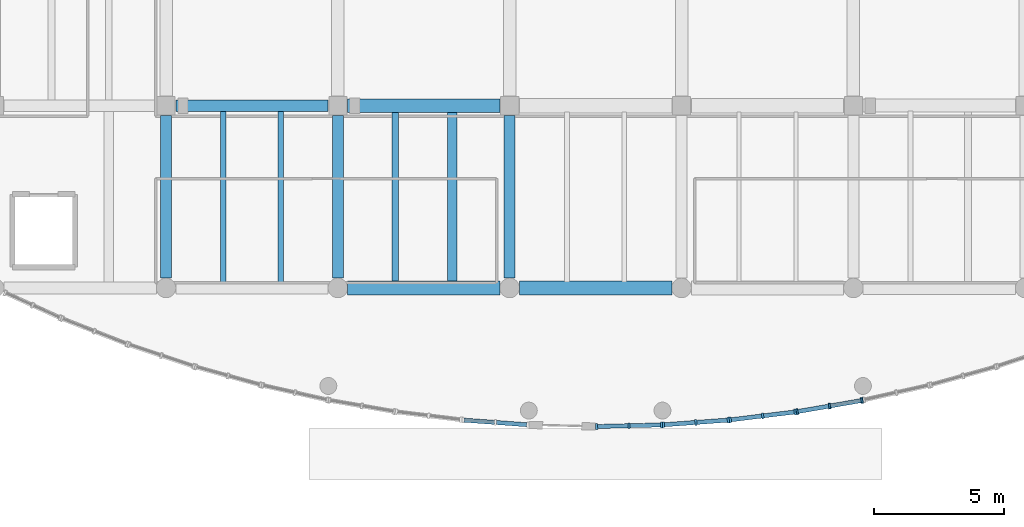
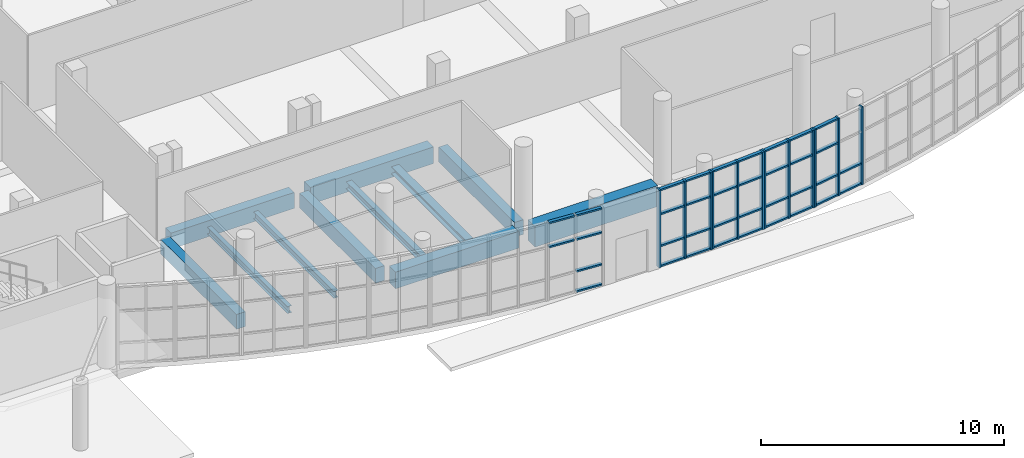
# One storey, part 11 of 69: 48 members, 11 beams, 5 elements without a shape of their own.
"""IFC4 building model written with IfcOpenShell, lengths in metres."""

from ifc_helpers import new_model, si_unit, direction, frame, origin, origin_2d, place, context, subcontext, project, spatial, rectangle, i_section, extrude, material, material_profile, profile_set, type_object, element, aggregate, save


model = new_model("IFC4")

# Units and contexts
model_context = context("Model", 3, precision=1e-05, world=origin(), true_north=direction((0.0, 1.0)))
body_context = subcontext(model_context, "Body", "Model", "MODEL_VIEW")
ifc_project = project(units=[si_unit("LENGTHUNIT", "METRE"), si_unit("AREAUNIT", "SQUARE_METRE"), si_unit("VOLUMEUNIT", "CUBIC_METRE"), si_unit("PLANEANGLEUNIT", "RADIAN"), si_unit("MASSUNIT", "GRAM", prefix="KILO")], contexts=[model_context])

# Site, building, storey
site_placement = place(None, origin())
site = spatial("IfcSite", under=ifc_project, at=site_placement, CompositionType="ELEMENT")
building_placement = place(site_placement, origin())
building = spatial("IfcBuilding", under=site, at=building_placement, Name="Ciguamira Faculty of Natural Sciences", CompositionType="ELEMENT")
storey_placement = place(building_placement, origin())
storey = spatial("IfcBuildingStorey", under=building, at=storey_placement, Name="L00", CompositionType="ELEMENT", Elevation=0.0)

# Curtain wall, members
ifc_material_1 = material(Name="Anodized aluminium curtain wall", Category="aluminium")
curtain_wall_type_1 = type_object("IfcCurtainWallType", Name="CurtainWall_CW-03", PredefinedType="USERDEFINED", material=ifc_material_1)
curtain_wall_1_placement = place(storey_placement, origin())
curtain_wall_1 = element("IfcCurtainWall", 1, at=curtain_wall_1_placement, inside=storey, type_object=curtain_wall_type_1, Name="L00 south gallery curved curtain wall 10", ObjectType="UNITISED CURTAIN WALL", PredefinedType="USERDEFINED")
ifc_material_2 = material(Name="Anodized aluminium mullion", Category="aluminium")
ifc_material_profile_1 = material_profile(ifc_material_2, rectangle(XDim=0.080078125, YDim=0.219970703125, at=origin_2d()), Name="ALU-MUL-80X220")
ifc_profile_set_1 = profile_set([ifc_material_profile_1], Name="Anodized aluminium mullion")
member_type_1 = type_object("IfcMemberType", Name="CWMullion_CWM-03", PredefinedType="MULLION", material=ifc_profile_set_1)
member_1_placement = place(storey_placement, frame((87.0400390625, 4.6796875, 0.0), z_axis=(0.0, 0.0, 1.0), x_axis=(0.999703662415, 0.024343117197, 0.0)))
member_1 = element("IfcMember", 2, at=member_1_placement, type_object=member_type_1, Name="CW-03 mullion 1", PredefinedType="MULLION", context=body_context, shape_type="SweptSolid", body=[
    extrude(rectangle(XDim=0.080078125, YDim=0.219970703125, at=origin_2d()), origin(), (0.0, 0.0, 1.0), 3.89990234375),
])
member_2_placement = place(storey_placement, frame((88.283447265625, 4.7099609375, 0.0), z_axis=(0.0, 0.0, 1.0), x_axis=(0.999703662415, 0.024343117197, 0.0)))
member_2 = element("IfcMember", 3, at=member_2_placement, type_object=member_type_1, Name="CW-03 mullion 2", PredefinedType="MULLION", context=body_context, shape_type="SweptSolid", body=[
    extrude(rectangle(XDim=0.080078125, YDim=0.219970703125, at=origin_2d()), origin(), (0.0, 0.0, 1.0), 3.89990234375),
])
member_3_placement = place(storey_placement, frame((89.526611328125, 4.740234375, 0.0), z_axis=(0.0, 0.0, 1.0), x_axis=(0.999703662415, 0.024343117197, 0.0)))
member_3 = element("IfcMember", 4, at=member_3_placement, type_object=member_type_1, Name="CW-03 mullion 3", PredefinedType="MULLION", context=body_context, shape_type="SweptSolid", body=[
    extrude(rectangle(XDim=0.080078125, YDim=0.219970703125, at=origin_2d()), origin(), (0.0, 0.0, 1.0), 3.89990234375),
])

curtain_wall_type_2 = type_object("IfcCurtainWallType", Name="CurtainWall_CW-04", PredefinedType="USERDEFINED", material=ifc_material_1)
curtain_wall_2_placement = place(storey_placement, origin())
curtain_wall_2 = element("IfcCurtainWall", 5, at=curtain_wall_2_placement, inside=storey, type_object=curtain_wall_type_2, Name="L00 south gallery curved curtain wall 11", ObjectType="UNITISED CURTAIN WALL", PredefinedType="USERDEFINED")
member_4_placement = place(storey_placement, frame((89.606689453125, 4.744140625, 0.0), z_axis=(0.0, 0.0, 1.0), x_axis=(0.99733655099, 0.072936986916, 0.0)))
member_4 = element("IfcMember", 6, at=member_4_placement, type_object=member_type_1, Name="CW-04 mullion 1", PredefinedType="MULLION", context=body_context, shape_type="SweptSolid", body=[
    extrude(rectangle(XDim=0.080078125, YDim=0.219970703125, at=origin_2d()), origin(), (0.0, 0.0, 1.0), 3.89990234375),
])
member_5_placement = place(storey_placement, frame((90.85009765625, 4.8349609375, 0.0), z_axis=(0.0, 0.0, 1.0), x_axis=(0.99733655099, 0.072936986916, 0.0)))
member_5 = element("IfcMember", 7, at=member_5_placement, type_object=member_type_1, Name="CW-04 mullion 2", PredefinedType="MULLION", context=body_context, shape_type="SweptSolid", body=[
    extrude(rectangle(XDim=0.080078125, YDim=0.219970703125, at=origin_2d()), origin(), (0.0, 0.0, 1.0), 3.89990234375),
])
member_6_placement = place(storey_placement, frame((92.093505859375, 4.926025390625, 0.0), z_axis=(0.0, 0.0, 1.0), x_axis=(0.99733655099, 0.072936986916, 0.0)))
member_6 = element("IfcMember", 8, at=member_6_placement, type_object=member_type_1, Name="CW-04 mullion 3", PredefinedType="MULLION", context=body_context, shape_type="SweptSolid", body=[
    extrude(rectangle(XDim=0.080078125, YDim=0.219970703125, at=origin_2d()), origin(), (0.0, 0.0, 1.0), 3.89990234375),
])

curtain_wall_type_3 = type_object("IfcCurtainWallType", Name="CurtainWall_CW-05", PredefinedType="USERDEFINED", material=ifc_material_1)
curtain_wall_3_placement = place(storey_placement, origin())
curtain_wall_3 = element("IfcCurtainWall", 9, at=curtain_wall_3_placement, inside=storey, type_object=curtain_wall_type_3, Name="L00 south gallery curved curtain wall 12", ObjectType="UNITISED CURTAIN WALL", PredefinedType="USERDEFINED")
member_7_placement = place(storey_placement, frame((92.173095703125, 4.933837890625, 0.0), z_axis=(0.0, 0.0, 1.0), x_axis=(0.992585912631, 0.12154507825, 0.0)))
member_7 = element("IfcMember", 10, at=member_7_placement, type_object=member_type_1, Name="CW-05 mullion 1", PredefinedType="MULLION", context=body_context, shape_type="SweptSolid", body=[
    extrude(rectangle(XDim=0.080078125, YDim=0.219970703125, at=origin_2d()), origin(), (0.0, 0.0, 1.0), 3.89990234375),
])
member_8_placement = place(storey_placement, frame((93.416748046875, 5.0859375, 0.0), z_axis=(0.0, 0.0, 1.0), x_axis=(0.992585912631, 0.12154507825, 0.0)))
member_8 = element("IfcMember", 11, at=member_8_placement, type_object=member_type_1, Name="CW-05 mullion 2", PredefinedType="MULLION", context=body_context, shape_type="SweptSolid", body=[
    extrude(rectangle(XDim=0.080078125, YDim=0.219970703125, at=origin_2d()), origin(), (0.0, 0.0, 1.0), 3.89990234375),
])
member_9_placement = place(storey_placement, frame((94.660400390625, 5.23828125, 0.0), z_axis=(0.0, 0.0, 1.0), x_axis=(0.992585912631, 0.12154507825, 0.0)))
member_9 = element("IfcMember", 12, at=member_9_placement, type_object=member_type_1, Name="CW-05 mullion 3", PredefinedType="MULLION", context=body_context, shape_type="SweptSolid", body=[
    extrude(rectangle(XDim=0.080078125, YDim=0.219970703125, at=origin_2d()), origin(), (0.0, 0.0, 1.0), 3.89990234375),
])

curtain_wall_type_4 = type_object("IfcCurtainWallType", Name="CurtainWall_CW-06", PredefinedType="USERDEFINED", material=ifc_material_1)
curtain_wall_4_placement = place(storey_placement, origin())
curtain_wall_4 = element("IfcCurtainWall", 13, at=curtain_wall_4_placement, inside=storey, type_object=curtain_wall_type_4, Name="L00 south gallery curved curtain wall 13", ObjectType="UNITISED CURTAIN WALL", PredefinedType="USERDEFINED")
member_10_placement = place(storey_placement, frame((94.739501953125, 5.25, 0.0), z_axis=(0.0, 0.0, 1.0), x_axis=(0.985410865099, 0.170192323402, 0.0)))
member_10 = element("IfcMember", 14, at=member_10_placement, type_object=member_type_1, Name="CW-06 mullion 1", PredefinedType="MULLION", context=body_context, shape_type="SweptSolid", body=[
    extrude(rectangle(XDim=0.080078125, YDim=0.219970703125, at=origin_2d()), origin(), (0.0, 0.0, 1.0), 3.89990234375),
])
member_11_placement = place(storey_placement, frame((95.9833984375, 5.46484375, 0.0), z_axis=(0.0, 0.0, 1.0), x_axis=(0.985410865099, 0.170192323402, 0.0)))
member_11 = element("IfcMember", 15, at=member_11_placement, type_object=member_type_1, Name="CW-06 mullion 2", PredefinedType="MULLION", context=body_context, shape_type="SweptSolid", body=[
    extrude(rectangle(XDim=0.080078125, YDim=0.219970703125, at=origin_2d()), origin(), (0.0, 0.0, 1.0), 3.89990234375),
])
member_12_placement = place(storey_placement, frame((97.227294921875, 5.6796875, 0.0), z_axis=(0.0, 0.0, 1.0), x_axis=(0.985410865099, 0.170192323402, 0.0)))
member_12 = element("IfcMember", 16, at=member_12_placement, type_object=member_type_1, Name="CW-06 mullion 3", PredefinedType="MULLION", context=body_context, shape_type="SweptSolid", body=[
    extrude(rectangle(XDim=0.080078125, YDim=0.219970703125, at=origin_2d()), origin(), (0.0, 0.0, 1.0), 3.89990234375),
])

curtain_wall_type_5 = type_object("IfcCurtainWallType", Name="CurtainWall_CW-02", PredefinedType="USERDEFINED", material=ifc_material_1)
curtain_wall_5_placement = place(storey_placement, origin())
curtain_wall_5 = element("IfcCurtainWall", 17, at=curtain_wall_5_placement, inside=storey, type_object=curtain_wall_type_5, Name="L00 south gallery curved curtain wall 08", ObjectType="UNITISED CURTAIN WALL", PredefinedType="USERDEFINED")
ifc_material_3 = material(Name="Anodized aluminium transom", Category="aluminium")
ifc_material_profile_2 = material_profile(ifc_material_3, rectangle(XDim=0.080078125, YDim=0.159912109375, at=origin_2d()), Name="ALU-TRN-80X160")
ifc_profile_set_2 = profile_set([ifc_material_profile_2], Name="Anodized aluminium transom")
member_type_2 = type_object("IfcMemberType", Name="CWTransom_CWT-03", PredefinedType="USERDEFINED", material=ifc_profile_set_2)
member_13_placement = place(storey_placement, frame((81.946533203125, 4.923095703125, 2.64990234375), z_axis=(0.997329635901, -0.073031481941, 0.0), x_axis=(0.0, 0.0, 1.0)))
member_13 = element("IfcMember", 18, at=member_13_placement, type_object=member_type_2, Name="CW-02 transom 1.3", ObjectType="TRANSOM", PredefinedType="USERDEFINED", context=body_context, shape_type="SweptSolid", body=[
    extrude(rectangle(XDim=0.080078125, YDim=0.159912109375, at=origin_2d()), origin(), (0.0, 0.0, 1.0), 1.166748046875),
])
member_14_placement = place(storey_placement, frame((81.946533203125, 4.923095703125, 3.860107421875), z_axis=(0.997329635901, -0.073031481941, 0.0), x_axis=(0.0, 0.0, 1.0)))
member_14 = element("IfcMember", 19, at=member_14_placement, type_object=member_type_2, Name="CW-02 transom 1.4", ObjectType="TRANSOM", PredefinedType="USERDEFINED", context=body_context, shape_type="SweptSolid", body=[
    extrude(rectangle(XDim=0.080078125, YDim=0.159912109375, at=origin_2d()), origin(), (0.0, 0.0, 1.0), 1.166748046875),
])
member_15_placement = place(storey_placement, frame((83.18994140625, 4.83203125, 0.0400390625), z_axis=(0.997344856117, -0.072823334018, 0.0), x_axis=(0.0, 0.0, 1.0)))
member_15 = element("IfcMember", 20, at=member_15_placement, type_object=member_type_2, Name="CW-02 transom 2.1", ObjectType="TRANSOM", PredefinedType="USERDEFINED", context=body_context, shape_type="SweptSolid", body=[
    extrude(rectangle(XDim=0.080078125, YDim=0.159912109375, at=origin_2d()), origin(), (0.0, 0.0, 1.0), 1.166748046875),
])
member_16_placement = place(storey_placement, frame((83.18994140625, 4.83203125, 1.050048828125), z_axis=(0.997344856117, -0.072823334018, 0.0), x_axis=(0.0, 0.0, 1.0)))
member_16 = element("IfcMember", 21, at=member_16_placement, type_object=member_type_2, Name="CW-02 transom 2.2", ObjectType="TRANSOM", PredefinedType="USERDEFINED", context=body_context, shape_type="SweptSolid", body=[
    extrude(rectangle(XDim=0.080078125, YDim=0.159912109375, at=origin_2d()), origin(), (0.0, 0.0, 1.0), 1.166748046875),
])
member_17_placement = place(storey_placement, frame((83.18994140625, 4.83203125, 2.64990234375), z_axis=(0.997344856117, -0.072823334018, 0.0), x_axis=(0.0, 0.0, 1.0)))
member_17 = element("IfcMember", 22, at=member_17_placement, type_object=member_type_2, Name="CW-02 transom 2.3", ObjectType="TRANSOM", PredefinedType="USERDEFINED", context=body_context, shape_type="SweptSolid", body=[
    extrude(rectangle(XDim=0.080078125, YDim=0.159912109375, at=origin_2d()), origin(), (0.0, 0.0, 1.0), 1.166748046875),
])
member_18_placement = place(storey_placement, frame((83.18994140625, 4.83203125, 3.860107421875), z_axis=(0.997344856117, -0.072823334018, 0.0), x_axis=(0.0, 0.0, 1.0)))
member_18 = element("IfcMember", 23, at=member_18_placement, type_object=member_type_2, Name="CW-02 transom 2.4", ObjectType="TRANSOM", PredefinedType="USERDEFINED", context=body_context, shape_type="SweptSolid", body=[
    extrude(rectangle(XDim=0.080078125, YDim=0.159912109375, at=origin_2d()), origin(), (0.0, 0.0, 1.0), 1.166748046875),
])
aggregate(curtain_wall_5, [member_13, member_14, member_15, member_16, member_17, member_18])

# Member
member_19_placement = place(storey_placement, frame((87.080078125, 4.6806640625, 0.0400390625), z_axis=(0.999703812183, 0.024336965837, 0.0), x_axis=(0.0, 0.0, 1.0)))
member_19 = element("IfcMember", 24, at=member_19_placement, type_object=member_type_2, Name="CW-03 transom 1.1", ObjectType="TRANSOM", PredefinedType="USERDEFINED", context=body_context, shape_type="SweptSolid", body=[
    extrude(rectangle(XDim=0.080078125, YDim=0.159912109375, at=origin_2d()), origin(), (0.0, 0.0, 1.0), 1.16357421875),
])

member_20_placement = place(storey_placement, frame((87.080078125, 4.6806640625, 1.050048828125), z_axis=(0.999703812183, 0.024336965837, 0.0), x_axis=(0.0, 0.0, 1.0)))
member_20 = element("IfcMember", 25, at=member_20_placement, type_object=member_type_2, Name="CW-03 transom 1.2", ObjectType="TRANSOM", PredefinedType="USERDEFINED", context=body_context, shape_type="SweptSolid", body=[
    extrude(rectangle(XDim=0.080078125, YDim=0.159912109375, at=origin_2d()), origin(), (0.0, 0.0, 1.0), 1.16357421875),
])

member_21_placement = place(storey_placement, frame((87.080078125, 4.6806640625, 2.64990234375), z_axis=(0.999703812183, 0.024336965837, 0.0), x_axis=(0.0, 0.0, 1.0)))
member_21 = element("IfcMember", 26, at=member_21_placement, type_object=member_type_2, Name="CW-03 transom 1.3", ObjectType="TRANSOM", PredefinedType="USERDEFINED", context=body_context, shape_type="SweptSolid", body=[
    extrude(rectangle(XDim=0.080078125, YDim=0.159912109375, at=origin_2d()), origin(), (0.0, 0.0, 1.0), 1.16357421875),
])

member_22_placement = place(storey_placement, frame((87.080078125, 4.6806640625, 3.860107421875), z_axis=(0.999703812183, 0.024336965837, 0.0), x_axis=(0.0, 0.0, 1.0)))
member_22 = element("IfcMember", 27, at=member_22_placement, type_object=member_type_2, Name="CW-03 transom 1.4", ObjectType="TRANSOM", PredefinedType="USERDEFINED", context=body_context, shape_type="SweptSolid", body=[
    extrude(rectangle(XDim=0.080078125, YDim=0.159912109375, at=origin_2d()), origin(), (0.0, 0.0, 1.0), 1.16357421875),
])

member_23_placement = place(storey_placement, frame((88.3232421875, 4.7109375, 0.0400390625), z_axis=(0.999703936407, 0.024331862489, 0.0), x_axis=(0.0, 0.0, 1.0)))
member_23 = element("IfcMember", 28, at=member_23_placement, type_object=member_type_2, Name="CW-03 transom 2.1", ObjectType="TRANSOM", PredefinedType="USERDEFINED", context=body_context, shape_type="SweptSolid", body=[
    extrude(rectangle(XDim=0.080078125, YDim=0.159912109375, at=origin_2d()), origin(), (0.0, 0.0, 1.0), 1.163818359375),
])

member_24_placement = place(storey_placement, frame((88.3232421875, 4.7109375, 1.050048828125), z_axis=(0.999703936407, 0.024331862489, 0.0), x_axis=(0.0, 0.0, 1.0)))
member_24 = element("IfcMember", 29, at=member_24_placement, type_object=member_type_2, Name="CW-03 transom 2.2", ObjectType="TRANSOM", PredefinedType="USERDEFINED", context=body_context, shape_type="SweptSolid", body=[
    extrude(rectangle(XDim=0.080078125, YDim=0.159912109375, at=origin_2d()), origin(), (0.0, 0.0, 1.0), 1.163818359375),
])

member_25_placement = place(storey_placement, frame((88.3232421875, 4.7109375, 2.64990234375), z_axis=(0.999703936407, 0.024331862489, 0.0), x_axis=(0.0, 0.0, 1.0)))
member_25 = element("IfcMember", 30, at=member_25_placement, type_object=member_type_2, Name="CW-03 transom 2.3", ObjectType="TRANSOM", PredefinedType="USERDEFINED", context=body_context, shape_type="SweptSolid", body=[
    extrude(rectangle(XDim=0.080078125, YDim=0.159912109375, at=origin_2d()), origin(), (0.0, 0.0, 1.0), 1.163818359375),
])

member_26_placement = place(storey_placement, frame((88.3232421875, 4.7109375, 3.860107421875), z_axis=(0.999703936407, 0.024331862489, 0.0), x_axis=(0.0, 0.0, 1.0)))
member_26 = element("IfcMember", 31, at=member_26_placement, type_object=member_type_2, Name="CW-03 transom 2.4", ObjectType="TRANSOM", PredefinedType="USERDEFINED", context=body_context, shape_type="SweptSolid", body=[
    extrude(rectangle(XDim=0.080078125, YDim=0.159912109375, at=origin_2d()), origin(), (0.0, 0.0, 1.0), 1.163818359375),
])

aggregate(curtain_wall_1, [member_1, member_2, member_3, member_19, member_20, member_21, member_22, member_23, member_24, member_25, member_26])

member_27_placement = place(storey_placement, frame((89.646484375, 4.7470703125, 0.0400390625), z_axis=(0.997344856117, 0.072823334018, 0.0), x_axis=(0.0, 0.0, 1.0)))
member_27 = element("IfcMember", 32, at=member_27_placement, type_object=member_type_2, Name="CW-04 transom 1.1", ObjectType="TRANSOM", PredefinedType="USERDEFINED", context=body_context, shape_type="SweptSolid", body=[
    extrude(rectangle(XDim=0.080078125, YDim=0.159912109375, at=origin_2d()), origin(), (0.0, 0.0, 1.0), 1.166748046875),
])

member_28_placement = place(storey_placement, frame((89.646484375, 4.7470703125, 1.050048828125), z_axis=(0.997344856117, 0.072823334018, 0.0), x_axis=(0.0, 0.0, 1.0)))
member_28 = element("IfcMember", 33, at=member_28_placement, type_object=member_type_2, Name="CW-04 transom 1.2", ObjectType="TRANSOM", PredefinedType="USERDEFINED", context=body_context, shape_type="SweptSolid", body=[
    extrude(rectangle(XDim=0.080078125, YDim=0.159912109375, at=origin_2d()), origin(), (0.0, 0.0, 1.0), 1.166748046875),
])

member_29_placement = place(storey_placement, frame((89.646484375, 4.7470703125, 2.64990234375), z_axis=(0.997344856117, 0.072823334018, 0.0), x_axis=(0.0, 0.0, 1.0)))
member_29 = element("IfcMember", 34, at=member_29_placement, type_object=member_type_2, Name="CW-04 transom 1.3", ObjectType="TRANSOM", PredefinedType="USERDEFINED", context=body_context, shape_type="SweptSolid", body=[
    extrude(rectangle(XDim=0.080078125, YDim=0.159912109375, at=origin_2d()), origin(), (0.0, 0.0, 1.0), 1.166748046875),
])

member_30_placement = place(storey_placement, frame((89.646484375, 4.7470703125, 3.860107421875), z_axis=(0.997344856117, 0.072823334018, 0.0), x_axis=(0.0, 0.0, 1.0)))
member_30 = element("IfcMember", 35, at=member_30_placement, type_object=member_type_2, Name="CW-04 transom 1.4", ObjectType="TRANSOM", PredefinedType="USERDEFINED", context=body_context, shape_type="SweptSolid", body=[
    extrude(rectangle(XDim=0.080078125, YDim=0.159912109375, at=origin_2d()), origin(), (0.0, 0.0, 1.0), 1.166748046875),
])

member_31_placement = place(storey_placement, frame((90.889892578125, 4.837890625, 0.0400390625), z_axis=(0.997329635901, 0.073031481941, 0.0), x_axis=(0.0, 0.0, 1.0)))
member_31 = element("IfcMember", 36, at=member_31_placement, type_object=member_type_2, Name="CW-04 transom 2.1", ObjectType="TRANSOM", PredefinedType="USERDEFINED", context=body_context, shape_type="SweptSolid", body=[
    extrude(rectangle(XDim=0.080078125, YDim=0.159912109375, at=origin_2d()), origin(), (0.0, 0.0, 1.0), 1.166748046875),
])

member_32_placement = place(storey_placement, frame((90.889892578125, 4.837890625, 1.050048828125), z_axis=(0.997329635901, 0.073031481941, 0.0), x_axis=(0.0, 0.0, 1.0)))
member_32 = element("IfcMember", 37, at=member_32_placement, type_object=member_type_2, Name="CW-04 transom 2.2", ObjectType="TRANSOM", PredefinedType="USERDEFINED", context=body_context, shape_type="SweptSolid", body=[
    extrude(rectangle(XDim=0.080078125, YDim=0.159912109375, at=origin_2d()), origin(), (0.0, 0.0, 1.0), 1.166748046875),
])

member_33_placement = place(storey_placement, frame((90.889892578125, 4.837890625, 2.64990234375), z_axis=(0.997329635901, 0.073031481941, 0.0), x_axis=(0.0, 0.0, 1.0)))
member_33 = element("IfcMember", 38, at=member_33_placement, type_object=member_type_2, Name="CW-04 transom 2.3", ObjectType="TRANSOM", PredefinedType="USERDEFINED", context=body_context, shape_type="SweptSolid", body=[
    extrude(rectangle(XDim=0.080078125, YDim=0.159912109375, at=origin_2d()), origin(), (0.0, 0.0, 1.0), 1.166748046875),
])

member_34_placement = place(storey_placement, frame((90.889892578125, 4.837890625, 3.860107421875), z_axis=(0.997329635901, 0.073031481941, 0.0), x_axis=(0.0, 0.0, 1.0)))
member_34 = element("IfcMember", 39, at=member_34_placement, type_object=member_type_2, Name="CW-04 transom 2.4", ObjectType="TRANSOM", PredefinedType="USERDEFINED", context=body_context, shape_type="SweptSolid", body=[
    extrude(rectangle(XDim=0.080078125, YDim=0.159912109375, at=origin_2d()), origin(), (0.0, 0.0, 1.0), 1.166748046875),
])

aggregate(curtain_wall_2, [member_4, member_5, member_6, member_27, member_28, member_29, member_30, member_31, member_32, member_33, member_34])

member_35_placement = place(storey_placement, frame((92.212646484375, 4.938720703125, 0.0400390625), z_axis=(0.992585363796, 0.121549560171, 0.0), x_axis=(0.0, 0.0, 1.0)))
member_35 = element("IfcMember", 40, at=member_35_placement, type_object=member_type_2, Name="CW-05 transom 1.1", ObjectType="TRANSOM", PredefinedType="USERDEFINED", context=body_context, shape_type="SweptSolid", body=[
    extrude(rectangle(XDim=0.080078125, YDim=0.159912109375, at=origin_2d()), origin(), (0.0, 0.0, 1.0), 1.173095703125),
])

member_36_placement = place(storey_placement, frame((92.212646484375, 4.938720703125, 1.050048828125), z_axis=(0.992585363796, 0.121549560171, 0.0), x_axis=(0.0, 0.0, 1.0)))
member_36 = element("IfcMember", 41, at=member_36_placement, type_object=member_type_2, Name="CW-05 transom 1.2", ObjectType="TRANSOM", PredefinedType="USERDEFINED", context=body_context, shape_type="SweptSolid", body=[
    extrude(rectangle(XDim=0.080078125, YDim=0.159912109375, at=origin_2d()), origin(), (0.0, 0.0, 1.0), 1.173095703125),
])

member_37_placement = place(storey_placement, frame((92.212646484375, 4.938720703125, 2.64990234375), z_axis=(0.992585363796, 0.121549560171, 0.0), x_axis=(0.0, 0.0, 1.0)))
member_37 = element("IfcMember", 42, at=member_37_placement, type_object=member_type_2, Name="CW-05 transom 1.3", ObjectType="TRANSOM", PredefinedType="USERDEFINED", context=body_context, shape_type="SweptSolid", body=[
    extrude(rectangle(XDim=0.080078125, YDim=0.159912109375, at=origin_2d()), origin(), (0.0, 0.0, 1.0), 1.173095703125),
])

member_38_placement = place(storey_placement, frame((92.212646484375, 4.938720703125, 3.860107421875), z_axis=(0.992585363796, 0.121549560171, 0.0), x_axis=(0.0, 0.0, 1.0)))
member_38 = element("IfcMember", 43, at=member_38_placement, type_object=member_type_2, Name="CW-05 transom 1.4", ObjectType="TRANSOM", PredefinedType="USERDEFINED", context=body_context, shape_type="SweptSolid", body=[
    extrude(rectangle(XDim=0.080078125, YDim=0.159912109375, at=origin_2d()), origin(), (0.0, 0.0, 1.0), 1.173095703125),
])

member_39_placement = place(storey_placement, frame((93.456298828125, 5.0908203125, 0.0400390625), z_axis=(0.992585363796, 0.121549560171, 0.0), x_axis=(0.0, 0.0, 1.0)))
member_39 = element("IfcMember", 44, at=member_39_placement, type_object=member_type_2, Name="CW-05 transom 2.1", ObjectType="TRANSOM", PredefinedType="USERDEFINED", context=body_context, shape_type="SweptSolid", body=[
    extrude(rectangle(XDim=0.080078125, YDim=0.159912109375, at=origin_2d()), origin(), (0.0, 0.0, 1.0), 1.173095703125),
])

member_40_placement = place(storey_placement, frame((93.456298828125, 5.0908203125, 1.050048828125), z_axis=(0.992585363796, 0.121549560171, 0.0), x_axis=(0.0, 0.0, 1.0)))
member_40 = element("IfcMember", 45, at=member_40_placement, type_object=member_type_2, Name="CW-05 transom 2.2", ObjectType="TRANSOM", PredefinedType="USERDEFINED", context=body_context, shape_type="SweptSolid", body=[
    extrude(rectangle(XDim=0.080078125, YDim=0.159912109375, at=origin_2d()), origin(), (0.0, 0.0, 1.0), 1.173095703125),
])

member_41_placement = place(storey_placement, frame((93.456298828125, 5.0908203125, 2.64990234375), z_axis=(0.992585363796, 0.121549560171, 0.0), x_axis=(0.0, 0.0, 1.0)))
member_41 = element("IfcMember", 46, at=member_41_placement, type_object=member_type_2, Name="CW-05 transom 2.3", ObjectType="TRANSOM", PredefinedType="USERDEFINED", context=body_context, shape_type="SweptSolid", body=[
    extrude(rectangle(XDim=0.080078125, YDim=0.159912109375, at=origin_2d()), origin(), (0.0, 0.0, 1.0), 1.173095703125),
])

member_42_placement = place(storey_placement, frame((93.456298828125, 5.0908203125, 3.860107421875), z_axis=(0.992585363796, 0.121549560171, 0.0), x_axis=(0.0, 0.0, 1.0)))
member_42 = element("IfcMember", 47, at=member_42_placement, type_object=member_type_2, Name="CW-05 transom 2.4", ObjectType="TRANSOM", PredefinedType="USERDEFINED", context=body_context, shape_type="SweptSolid", body=[
    extrude(rectangle(XDim=0.080078125, YDim=0.159912109375, at=origin_2d()), origin(), (0.0, 0.0, 1.0), 1.173095703125),
])

aggregate(curtain_wall_3, [member_7, member_8, member_9, member_35, member_36, member_37, member_38, member_39, member_40, member_41, member_42])

member_43_placement = place(storey_placement, frame((94.77880859375, 5.2568359375, 0.0400390625), z_axis=(0.985417162859, 0.170155855448, 0.0), x_axis=(0.0, 0.0, 1.0)))
member_43 = element("IfcMember", 48, at=member_43_placement, type_object=member_type_2, Name="CW-06 transom 1.1", ObjectType="TRANSOM", PredefinedType="USERDEFINED", context=body_context, shape_type="SweptSolid", body=[
    extrude(rectangle(XDim=0.080078125, YDim=0.159912109375, at=origin_2d()), origin(), (0.0, 0.0, 1.0), 1.182373046875),
])

member_44_placement = place(storey_placement, frame((94.77880859375, 5.2568359375, 1.050048828125), z_axis=(0.985417162859, 0.170155855448, 0.0), x_axis=(0.0, 0.0, 1.0)))
member_44 = element("IfcMember", 49, at=member_44_placement, type_object=member_type_2, Name="CW-06 transom 1.2", ObjectType="TRANSOM", PredefinedType="USERDEFINED", context=body_context, shape_type="SweptSolid", body=[
    extrude(rectangle(XDim=0.080078125, YDim=0.159912109375, at=origin_2d()), origin(), (0.0, 0.0, 1.0), 1.182373046875),
])

member_45_placement = place(storey_placement, frame((94.77880859375, 5.2568359375, 2.64990234375), z_axis=(0.985417162859, 0.170155855448, 0.0), x_axis=(0.0, 0.0, 1.0)))
member_45 = element("IfcMember", 50, at=member_45_placement, type_object=member_type_2, Name="CW-06 transom 1.3", ObjectType="TRANSOM", PredefinedType="USERDEFINED", context=body_context, shape_type="SweptSolid", body=[
    extrude(rectangle(XDim=0.080078125, YDim=0.159912109375, at=origin_2d()), origin(), (0.0, 0.0, 1.0), 1.182373046875),
])

member_46_placement = place(storey_placement, frame((94.77880859375, 5.2568359375, 3.860107421875), z_axis=(0.985417162859, 0.170155855448, 0.0), x_axis=(0.0, 0.0, 1.0)))
member_46 = element("IfcMember", 51, at=member_46_placement, type_object=member_type_2, Name="CW-06 transom 1.4", ObjectType="TRANSOM", PredefinedType="USERDEFINED", context=body_context, shape_type="SweptSolid", body=[
    extrude(rectangle(XDim=0.080078125, YDim=0.159912109375, at=origin_2d()), origin(), (0.0, 0.0, 1.0), 1.182373046875),
])

member_47_placement = place(storey_placement, frame((96.022705078125, 5.4716796875, 0.0400390625), z_axis=(0.985423139827, 0.170121237632, 0.0), x_axis=(0.0, 0.0, 1.0)))
member_47 = element("IfcMember", 52, at=member_47_placement, type_object=member_type_2, Name="CW-06 transom 2.1", ObjectType="TRANSOM", PredefinedType="USERDEFINED", context=body_context, shape_type="SweptSolid", body=[
    extrude(rectangle(XDim=0.080078125, YDim=0.159912109375, at=origin_2d()), origin(), (0.0, 0.0, 1.0), 1.1826171875),
])

member_48_placement = place(storey_placement, frame((96.022705078125, 5.4716796875, 1.050048828125), z_axis=(0.985423139827, 0.170121237632, 0.0), x_axis=(0.0, 0.0, 1.0)))
member_48 = element("IfcMember", 53, at=member_48_placement, type_object=member_type_2, Name="CW-06 transom 2.2", ObjectType="TRANSOM", PredefinedType="USERDEFINED", context=body_context, shape_type="SweptSolid", body=[
    extrude(rectangle(XDim=0.080078125, YDim=0.159912109375, at=origin_2d()), origin(), (0.0, 0.0, 1.0), 1.1826171875),
])

aggregate(curtain_wall_4, [member_10, member_11, member_12, member_43, member_44, member_45, member_46, member_47, member_48])

# Beams
ifc_material_4 = material(Name="Concrete C40/50", Category="concrete")
ifc_material_profile_3 = material_profile(ifc_material_4, rectangle(XDim=0.550048828125, YDim=1.050048828125, at=origin_2d()), Name="RC-BM-550X1050")
ifc_profile_set_3 = profile_set([ifc_material_profile_3], Name="Concrete C40/50")
beam_type_1 = type_object("IfcBeamType", Name="RCBeam_BG-01_RC-BM-550X1050", PredefinedType="BEAM", material=ifc_profile_set_3)
beam_1_placement = place(storey_placement, frame((84.074951171875, 10.0, -0.52490234375), z_axis=(1.0, 0.0, 0.0), x_axis=(0.0, 1.0, 0.0)))
element("IfcBeam", 54, at=beam_1_placement, inside=storey, type_object=beam_type_1, Name="L00 RC girder EW-0027", PredefinedType="BEAM", context=body_context, shape_type="SweptSolid", body=[
    extrude(rectangle(XDim=0.550048828125, YDim=1.050048828125, at=origin_2d()), origin(), (0.0, 0.0, 1.0), 5.85009765625),
])
ifc_material_profile_4 = material_profile(ifc_material_4, rectangle(XDim=0.449951171875, YDim=0.800048828125, at=origin_2d()), Name="RC-BM-450X800")
ifc_profile_set_4 = profile_set([ifc_material_profile_4], Name="Concrete C40/50")
beam_type_2 = type_object("IfcBeamType", Name="RCBeam_BG-05_RC-BM-450X800", PredefinedType="BEAM", material=ifc_profile_set_4)
beam_2_placement = place(storey_placement, frame((70.875, 17.0, -0.39990234375), z_axis=(1.0, 0.0, 0.0), x_axis=(0.0, 1.0, 0.0)))
element("IfcBeam", 55, at=beam_2_placement, inside=storey, type_object=beam_type_2, Name="L00 RC girder EW-0043", PredefinedType="BEAM", context=body_context, shape_type="SweptSolid", body=[
    extrude(rectangle(XDim=0.449951171875, YDim=0.800048828125, at=origin_2d()), origin(), (0.0, 0.0, 1.0), 5.85009765625),
])
ifc_material_profile_5 = material_profile(ifc_material_4, rectangle(XDim=0.419921875, YDim=0.739990234375, at=origin_2d()), Name="RC-BM-420X740")
ifc_profile_set_5 = profile_set([ifc_material_profile_5], Name="Concrete C40/50")
beam_type_3 = type_object("IfcBeamType", Name="RCBeam_BG-07_RC-BM-420X740", PredefinedType="BEAM", material=ifc_profile_set_5)
for number, where, z_axis, x_axis, name in (
    (56, (70.5, 10.375, -0.3701171875), (0.0, 1.0, 0.0), (-1.0, 0.0, 0.0), "L00 girder NS-0242"),
    (57, (77.10009765625, 10.375, -0.3701171875), (0.0, 1.0, 0.0), (-1.0, 0.0, 0.0), "L00 girder NS-0254"),
    (58, (83.699951171875, 10.375, -0.3701171875), (0.0, 1.0, 0.0), (-1.0, 0.0, 0.0), "L00 girder NS-0265"),
):
    element("IfcBeam", number, at=place(storey_placement, frame(where, z_axis=z_axis, x_axis=x_axis)), inside=storey, type_object=beam_type_3, Name=name, PredefinedType="BEAM", context=body_context, shape_type="SweptSolid", body=[
        extrude(rectangle(XDim=0.419921875, YDim=0.739990234375, at=origin_2d()), origin(), (0.0, 0.0, 1.0), 6.25),
    ])
ifc_material_profile_6 = material_profile(ifc_material_4, rectangle(XDim=0.52001953125, YDim=0.840087890625, at=origin_2d()), Name="RC-TB-520X840")
ifc_profile_set_6 = profile_set([ifc_material_profile_6], Name="Concrete C40/50")
beam_type_4 = type_object("IfcBeamType", Name="RCBeam_TB-02_RC-TB-520X840", PredefinedType="T_BEAM", material=ifc_profile_set_6)
for number, where, z_axis, x_axis, name in (
    (59, (77.47509765625, 10.0, -0.419921875), (1.0, 0.0, 0.0), (0.0, 1.0, 0.0), "L00 RC girder EW-0026"),
    (60, (77.47509765625, 17.0, -0.419921875), (1.0, 0.0, 0.0), (0.0, 1.0, 0.0), "L00 RC girder EW-0044"),
):
    element("IfcBeam", number, at=place(storey_placement, frame(where, z_axis=z_axis, x_axis=x_axis)), inside=storey, type_object=beam_type_4, Name=name, PredefinedType="T_BEAM", context=body_context, shape_type="SweptSolid", body=[
        extrude(rectangle(XDim=0.52001953125, YDim=0.840087890625, at=origin_2d()), origin(), (0.0, 0.0, 1.0), 5.849853515625),
    ])
ifc_material_5 = material(Name="Steel ASTM A992 Grade 50", Category="steel")
ifc_material_profile_7 = material_profile(ifc_material_5, i_section(OverallWidth=0.203125, OverallDepth=0.347900390625, WebThickness=0.0078125, FlangeThickness=0.013427734375, at=origin_2d()), Name="W14X43")
ifc_profile_set_7 = profile_set([ifc_material_profile_7], Name="Steel ASTM A992 Grade 50")
beam_type_5 = type_object("IfcBeamType", Name="SteelJoist_SJ-12_W14X43", PredefinedType="JOIST", material=ifc_profile_set_7)
beam_3_placement = place(storey_placement, frame((72.699951171875, 10.18505859375, -0.47412109375), z_axis=(0.0, 1.0, 0.0), x_axis=(-1.0, 0.0, 0.0)))
element("IfcBeam", 61, at=beam_3_placement, inside=storey, type_object=beam_type_5, Name="L00 composite steel joist 00121", PredefinedType="JOIST", context=body_context, shape_type="SweptSolid", body=[
    extrude(i_section(OverallWidth=0.203125, OverallDepth=0.347900390625, WebThickness=0.0078125, FlangeThickness=0.013427734375, at=origin_2d()), origin(), (0.0, 0.0, 1.0), 6.6298828125),
])
ifc_material_profile_8 = material_profile(ifc_material_5, i_section(OverallWidth=0.204833984375, OverallDepth=0.35302734375, WebThickness=0.00927734375, FlangeThickness=0.016845703125, at=origin_2d()), Name="W14X53")
ifc_profile_set_8 = profile_set([ifc_material_profile_8], Name="Steel ASTM A992 Grade 50")
beam_type_6 = type_object("IfcBeamType", Name="SteelJoist_SJ-13_W14X53", PredefinedType="JOIST", material=ifc_profile_set_8)
beam_4_placement = place(storey_placement, frame((74.89990234375, 10.18505859375, -0.4765625), z_axis=(0.0, 1.0, 0.0), x_axis=(-1.0, 0.0, 0.0)))
element("IfcBeam", 62, at=beam_4_placement, inside=storey, type_object=beam_type_6, Name="L00 composite steel joist 00122", PredefinedType="JOIST", context=body_context, shape_type="SweptSolid", body=[
    extrude(i_section(OverallWidth=0.204833984375, OverallDepth=0.35302734375, WebThickness=0.00927734375, FlangeThickness=0.016845703125, at=origin_2d()), origin(), (0.0, 0.0, 1.0), 6.6298828125),
])
ifc_material_profile_9 = material_profile(ifc_material_5, i_section(OverallWidth=0.256591796875, OverallDepth=0.36328125, WebThickness=0.012939453125, FlangeThickness=0.021728515625, at=origin_2d()), Name="W14X82")
ifc_profile_set_9 = profile_set([ifc_material_profile_9], Name="Steel ASTM A992 Grade 50")
beam_type_7 = type_object("IfcBeamType", Name="SteelJoist_SJ-15_W14X82", PredefinedType="JOIST", material=ifc_profile_set_9)
beam_5_placement = place(storey_placement, frame((79.300048828125, 10.219970703125, -0.481689453125), z_axis=(0.0, 1.0, 0.0), x_axis=(-1.0, 0.0, 0.0)))
element("IfcBeam", 63, at=beam_5_placement, inside=storey, type_object=beam_type_7, Name="L00 composite steel joist 00146", PredefinedType="JOIST", context=body_context, shape_type="SweptSolid", body=[
    extrude(i_section(OverallWidth=0.256591796875, OverallDepth=0.36328125, WebThickness=0.012939453125, FlangeThickness=0.021728515625, at=origin_2d()), origin(), (0.0, 0.0, 1.0), 6.56005859375),
])
ifc_material_profile_10 = material_profile(ifc_material_5, i_section(OverallWidth=0.368408203125, OverallDepth=0.355712890625, WebThickness=0.01123046875, FlangeThickness=0.01806640625, at=origin_2d()), Name="W14X90")
ifc_profile_set_10 = profile_set([ifc_material_profile_10], Name="Steel ASTM A992 Grade 50")
beam_type_8 = type_object("IfcBeamType", Name="SteelJoist_SJ-16_W14X90", PredefinedType="JOIST", material=ifc_profile_set_10)
beam_6_placement = place(storey_placement, frame((81.5, 10.219970703125, -0.477783203125), z_axis=(0.0, 1.0, 0.0), x_axis=(-1.0, 0.0, 0.0)))
element("IfcBeam", 64, at=beam_6_placement, inside=storey, type_object=beam_type_8, Name="L00 composite steel joist 00147", PredefinedType="JOIST", context=body_context, shape_type="SweptSolid", body=[
    extrude(i_section(OverallWidth=0.368408203125, OverallDepth=0.355712890625, WebThickness=0.01123046875, FlangeThickness=0.01806640625, at=origin_2d()), origin(), (0.0, 0.0, 1.0), 6.56005859375),
])

save(model, "model.ifc")
